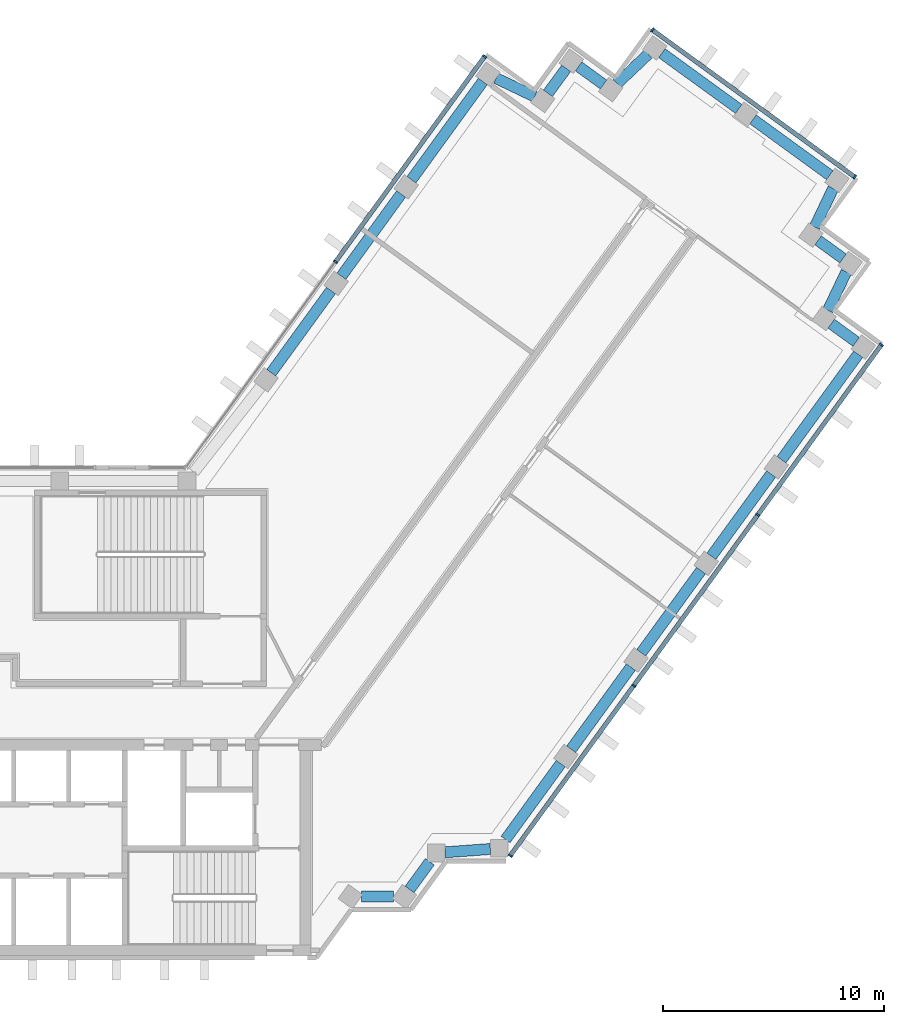
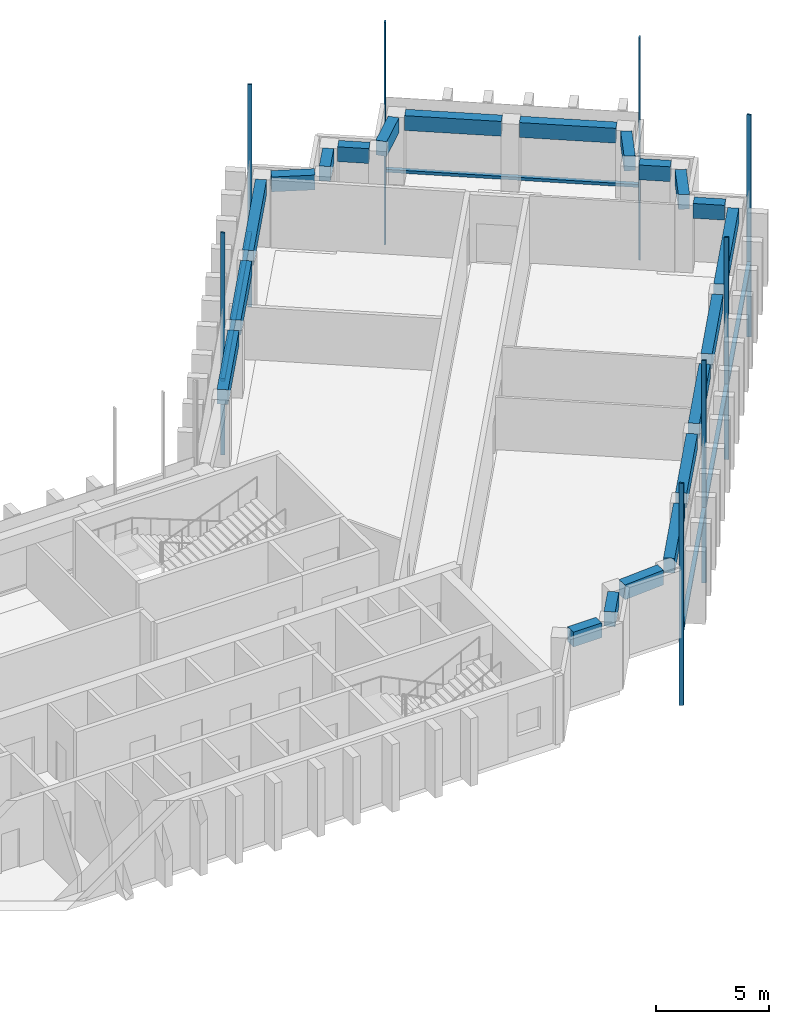
# One storey, part 5 of 15: 21 beams, 13 members, 3 elements without a shape of their own.
"""IFC4 building model written with IfcOpenShell, lengths in metres."""

from ifc_helpers import new_model, si_unit, direction, frame, origin, origin_2d, place, context, subcontext, project, spatial, rectangle, extrude, material, material_profile, profile_set, type_object, element, aggregate, save


model = new_model("IFC4")

# Units and contexts
model_context = context("Model", 3, precision=1e-05, world=origin(), true_north=direction((0.0, 1.0)))
body_context = subcontext(model_context, "Body", "Model", "MODEL_VIEW")
ifc_project = project(units=[si_unit("LENGTHUNIT", "METRE"), si_unit("AREAUNIT", "SQUARE_METRE"), si_unit("VOLUMEUNIT", "CUBIC_METRE"), si_unit("PLANEANGLEUNIT", "RADIAN"), si_unit("MASSUNIT", "GRAM", prefix="KILO")], contexts=[model_context])

# Site, building, storey
site_placement = place(None, origin())
site = spatial("IfcSite", under=ifc_project, at=site_placement, CompositionType="ELEMENT")
building_placement = place(site_placement, origin())
building = spatial("IfcBuilding", under=site, at=building_placement, Name="Quipu Civic Tower", CompositionType="ELEMENT")
storey_placement = place(building_placement, frame((0.0, 0.0, 160.0)))
storey = spatial("IfcBuildingStorey", under=building, at=storey_placement, Name="L37", CompositionType="ELEMENT", Elevation=160.0)

# Curtain wall, members
ifc_material_1 = material(Name="Insulated glass unit", Category="glass")
curtain_wall_type = type_object("IfcCurtainWallType", Name="Office curtain wall CW1", PredefinedType="NOTDEFINED", material=ifc_material_1)
curtain_wall_1_placement = place(storey_placement, origin())
curtain_wall_1 = element("IfcCurtainWall", 1, at=curtain_wall_1_placement, inside=storey, type_object=curtain_wall_type, Name="Office curtain wall CW1 L36 run 26", PredefinedType="NOTDEFINED")
ifc_material_2 = material(Name="Anodised aluminium", Category="aluminium")
ifc_material_profile_1 = material_profile(ifc_material_2, rectangle(XDim=0.199951171875, YDim=0.080078125, at=origin_2d()), Name="RECT 200x80")
ifc_profile_set_1 = profile_set([ifc_material_profile_1], Name="Anodised aluminium")
member_type_1 = type_object("IfcMemberType", Name="Mullion CW1", PredefinedType="MULLION", material=ifc_profile_set_1)
member_1_placement = place(storey_placement, frame((29.029296875, -6.45654296875, -3.919921875), z_axis=(0.0, 0.0, 1.0), x_axis=(-0.80901667469, 0.5877856923, 0.0)))
member_1 = element("IfcMember", 2, at=member_1_placement, type_object=member_type_1, Name="CW1 mullion 1", PredefinedType="MULLION", context=body_context, shape_type="SweptSolid", body=[
    extrude(rectangle(XDim=0.199951171875, YDim=0.080078125, at=origin_2d()), origin(), (0.0, 0.0, 1.0), 12.0),
])
member_2_placement = place(storey_placement, frame((34.620361328125, 1.23876953125, -3.919921875), z_axis=(0.0, 0.0, 1.0), x_axis=(-0.80901667469, 0.5877856923, 0.0)))
member_2 = element("IfcMember", 3, at=member_2_placement, type_object=member_type_1, Name="CW1 mullion 2", PredefinedType="MULLION", context=body_context, shape_type="SweptSolid", body=[
    extrude(rectangle(XDim=0.199951171875, YDim=0.080078125, at=origin_2d()), origin(), (0.0, 0.0, 1.0), 12.0),
])
member_3_placement = place(storey_placement, frame((40.23486328125, 8.966552734375, -3.919921875), z_axis=(0.0, 0.0, 1.0), x_axis=(-0.80901667469, 0.5877856923, 0.0)))
member_3 = element("IfcMember", 4, at=member_3_placement, type_object=member_type_1, Name="CW1 mullion 3", PredefinedType="MULLION", context=body_context, shape_type="SweptSolid", body=[
    extrude(rectangle(XDim=0.199951171875, YDim=0.080078125, at=origin_2d()), origin(), (0.0, 0.0, 1.0), 12.0),
])
member_4_placement = place(storey_placement, frame((45.825927734375, 16.661865234375, -3.919921875), z_axis=(0.0, 0.0, 1.0), x_axis=(-0.80901667469, 0.5877856923, 0.0)))
member_4 = element("IfcMember", 5, at=member_4_placement, type_object=member_type_1, Name="CW1 mullion 4", PredefinedType="MULLION", context=body_context, shape_type="SweptSolid", body=[
    extrude(rectangle(XDim=0.199951171875, YDim=0.080078125, at=origin_2d()), origin(), (0.0, 0.0, 1.0), 12.0),
])

curtain_wall_2_placement = place(storey_placement, origin())
curtain_wall_2 = element("IfcCurtainWall", 6, at=curtain_wall_2_placement, inside=storey, type_object=curtain_wall_type, Name="Office curtain wall CW1 L36 run 31", PredefinedType="NOTDEFINED")
member_5_placement = place(storey_placement, frame((44.62255859375, 24.260498046875, -3.919921875), z_axis=(0.0, 0.0, 1.0), x_axis=(-0.587787753918, -0.809015176832, 0.0)))
member_5 = element("IfcMember", 7, at=member_5_placement, type_object=member_type_1, Name="CW1 mullion 1", PredefinedType="MULLION", context=body_context, shape_type="SweptSolid", body=[
    extrude(rectangle(XDim=0.199951171875, YDim=0.080078125, at=origin_2d()), origin(), (0.0, 0.0, 1.0), 12.0),
])
member_6_placement = place(storey_placement, frame((35.46435546875, 30.914306640625, -3.919921875), z_axis=(0.0, 0.0, 1.0), x_axis=(-0.587787753918, -0.809015176832, 0.0)))
member_6 = element("IfcMember", 8, at=member_6_placement, type_object=member_type_1, Name="CW1 mullion 2", PredefinedType="MULLION", context=body_context, shape_type="SweptSolid", body=[
    extrude(rectangle(XDim=0.199951171875, YDim=0.080078125, at=origin_2d()), origin(), (0.0, 0.0, 1.0), 12.0),
])

curtain_wall_3_placement = place(storey_placement, origin())
curtain_wall_3 = element("IfcCurtainWall", 9, at=curtain_wall_3_placement, inside=storey, type_object=curtain_wall_type, Name="Office curtain wall CW1 L36 run 36", PredefinedType="NOTDEFINED")
member_7_placement = place(storey_placement, frame((27.865966796875, 29.7109375, -3.919921875), z_axis=(0.0, 0.0, 1.0), x_axis=(0.809014469803, -0.587788727052, 0.0)))
member_7 = element("IfcMember", 10, at=member_7_placement, type_object=member_type_1, Name="CW1 mullion 1", PredefinedType="MULLION", context=body_context, shape_type="SweptSolid", body=[
    extrude(rectangle(XDim=0.199951171875, YDim=0.080078125, at=origin_2d()), origin(), (0.0, 0.0, 1.0), 12.0),
])
member_8_placement = place(storey_placement, frame((21.11669921875, 20.421630859375, -3.919921875), z_axis=(0.0, 0.0, 1.0), x_axis=(0.809014469803, -0.587788727052, 0.0)))
member_8 = element("IfcMember", 11, at=member_8_placement, type_object=member_type_1, Name="CW1 mullion 2", PredefinedType="MULLION", context=body_context, shape_type="SweptSolid", body=[
    extrude(rectangle(XDim=0.199951171875, YDim=0.080078125, at=origin_2d()), origin(), (0.0, 0.0, 1.0), 12.0),
])

# Beams
ifc_material_3 = material(Name="Concrete C50/60", Category="concrete")
ifc_material_profile_2 = material_profile(ifc_material_3, rectangle(XDim=0.5, YDim=0.800048828125, at=origin_2d()), Name="RC500x800")
ifc_profile_set_2 = profile_set([ifc_material_profile_2], Name="Concrete C50/60")
beam_type = type_object("IfcBeamType", Name="Spandrel beam RC 500x800 C50/60", PredefinedType="SPANDREL", material=ifc_profile_set_2)
beam_1_placement = place(storey_placement, frame((22.2861328125, -8.31494140625, 3.25), z_axis=(1.0, 0.0, 0.0), x_axis=(0.0, 1.0, 0.0)))
element("IfcBeam", 12, at=beam_1_placement, inside=storey, type_object=beam_type, Name="Spandrel beam L37 J-Eo.1 to J-Eo.2", PredefinedType="SPANDREL", context=body_context, shape_type="SweptSolid", body=[
    extrude(rectangle(XDim=0.5, YDim=0.800048828125, at=origin_2d()), origin(), (0.0, 0.0, 1.0), 1.454345703125),
])
beam_2_placement = place(storey_placement, frame((24.470458984375, -7.991455078125, 3.25), z_axis=(0.588405601119, 0.808565920981, 0.0), x_axis=(-0.808565920981, 0.588405601119, 0.0)))
element("IfcBeam", 13, at=beam_2_placement, inside=storey, type_object=beam_type, Name="Spandrel beam L37 J-Eo.2 to J-Eo.3", PredefinedType="SPANDREL", context=body_context, shape_type="SweptSolid", body=[
    extrude(rectangle(XDim=0.5, YDim=0.800048828125, at=origin_2d()), origin(), (0.0, 0.0, 1.0), 1.55126953125),
])
beam_3_placement = place(storey_placement, frame((26.074462890625, -6.307861328125, 3.25), z_axis=(0.997372997143, 0.072436900614, 0.0), x_axis=(-0.072436900614, 0.997372997143, 0.0)))
element("IfcBeam", 14, at=beam_3_placement, inside=storey, type_object=beam_type, Name="Spandrel beam L37 J-Eo.3 to J-Eo.4", PredefinedType="SPANDREL", context=body_context, shape_type="SweptSolid", body=[
    extrude(rectangle(XDim=0.5, YDim=0.800048828125, at=origin_2d()), origin(), (0.0, 0.0, 1.0), 2.055908203125),
])
beam_4_placement = place(storey_placement, frame((28.815673828125, -5.72998046875, 3.25), z_axis=(0.58776850526, 0.809029161541, 0.0), x_axis=(-0.809029161541, 0.58776850526, 0.0)))
element("IfcBeam", 15, at=beam_4_placement, inside=storey, type_object=beam_type, Name="Spandrel beam L37 J-Eo.4 to E-OUT-01", PredefinedType="SPANDREL", context=body_context, shape_type="SweptSolid", body=[
    extrude(rectangle(XDim=0.5, YDim=0.800048828125, at=origin_2d()), origin(), (0.0, 0.0, 1.0), 4.249267578125),
])
beam_5_placement = place(storey_placement, frame((31.783447265625, -1.64501953125, 3.25), z_axis=(0.587796098864, 0.809009113768, 0.0), x_axis=(-0.809009113768, 0.587796098864, 0.0)))
element("IfcBeam", 16, at=beam_5_placement, inside=storey, type_object=beam_type, Name="Spandrel beam L37 E-OUT-01 to E-OUT-02", PredefinedType="SPANDREL", context=body_context, shape_type="SweptSolid", body=[
    extrude(rectangle(XDim=0.5, YDim=0.800048828125, at=origin_2d()), origin(), (0.0, 0.0, 1.0), 4.60009765625),
])
beam_6_placement = place(storey_placement, frame((34.95751953125, 2.7236328125, 3.25), z_axis=(0.58776136044, 0.809034352283, 0.0), x_axis=(-0.809034352283, 0.58776136044, 0.0)))
element("IfcBeam", 17, at=beam_6_placement, inside=storey, type_object=beam_type, Name="Spandrel beam L37 E-OUT-02 to E-OUT-03", PredefinedType="SPANDREL", context=body_context, shape_type="SweptSolid", body=[
    extrude(rectangle(XDim=0.5, YDim=0.800048828125, at=origin_2d()), origin(), (0.0, 0.0, 1.0), 4.599853515625),
])
beam_7_placement = place(storey_placement, frame((38.13134765625, 7.09228515625, 3.25), z_axis=(0.587770861189, 0.809027449928, 0.0), x_axis=(-0.809027449928, 0.587770861189, 0.0)))
element("IfcBeam", 18, at=beam_7_placement, inside=storey, type_object=beam_type, Name="Spandrel beam L37 E-OUT-03 to E-OUT-04", PredefinedType="SPANDREL", context=body_context, shape_type="SweptSolid", body=[
    extrude(rectangle(XDim=0.5, YDim=0.800048828125, at=origin_2d()), origin(), (0.0, 0.0, 1.0), 4.60009765625),
])
beam_8_placement = place(storey_placement, frame((41.305419921875, 11.461181640625, 3.25), z_axis=(0.58780026889, 0.809006083965, 0.0), x_axis=(-0.809006083965, 0.58780026889, 0.0)))
element("IfcBeam", 19, at=beam_8_placement, inside=storey, type_object=beam_type, Name="Spandrel beam L37 E-OUT-04 to T-Eo.0-E34", PredefinedType="SPANDREL", context=body_context, shape_type="SweptSolid", body=[
    extrude(rectangle(XDim=0.5, YDim=0.800048828125, at=origin_2d()), origin(), (0.0, 0.0, 1.0), 5.902587890625),
])
beam_9_placement = place(storey_placement, frame((44.6865234375, 16.79541015625, 3.25), z_axis=(-0.808600329101, 0.588358315805, 0.0), x_axis=(-0.588358315805, -0.808600329101, 0.0)))
element("IfcBeam", 20, at=beam_9_placement, inside=storey, type_object=beam_type, Name="Spandrel beam L37 T-Eo.0-E34 to T-Eo.1-E34", PredefinedType="SPANDREL", context=body_context, shape_type="SweptSolid", body=[
    extrude(rectangle(XDim=0.5, YDim=0.800048828125, at=origin_2d()), origin(), (0.0, 0.0, 1.0), 1.400146484375),
])
beam_10_placement = place(storey_placement, frame((43.40625, 18.2216796875, 3.25), z_axis=(0.430785642718, 0.902454281406, 0.0), x_axis=(-0.902454281406, 0.430785642718, 0.0)))
element("IfcBeam", 21, at=beam_10_placement, inside=storey, type_object=beam_type, Name="Spandrel beam L37 T-Eo.1-E34 to T-Eo.2-E34", PredefinedType="SPANDREL", context=body_context, shape_type="SweptSolid", body=[
    extrude(rectangle(XDim=0.5, YDim=0.800048828125, at=origin_2d()), origin(), (0.0, 0.0, 1.0), 1.934814453125),
])
beam_11_placement = place(storey_placement, frame((44.09130859375, 20.56982421875, 3.25), z_axis=(-0.809467380413, 0.587164849125, 0.0), x_axis=(-0.587164849125, -0.809467380413, 0.0)))
element("IfcBeam", 22, at=beam_11_placement, inside=storey, type_object=beam_type, Name="Spandrel beam L37 T-Eo.2-E34 to T-Eo.3-E34", PredefinedType="SPANDREL", context=body_context, shape_type="SweptSolid", body=[
    extrude(rectangle(XDim=0.5, YDim=0.800048828125, at=origin_2d()), origin(), (0.0, 0.0, 1.0), 1.399169921875),
])
beam_12_placement = place(storey_placement, frame((42.809814453125, 21.99365234375, 3.25), z_axis=(0.429889421342, 0.902881545618, 0.0), x_axis=(-0.902881545618, 0.429889421342, 0.0)))
element("IfcBeam", 23, at=beam_12_placement, inside=storey, type_object=beam_type, Name="Spandrel beam L37 T-Eo.3-E34 to T-Eo.4-E34", PredefinedType="SPANDREL", context=body_context, shape_type="SweptSolid", body=[
    extrude(rectangle(XDim=0.5, YDim=0.800048828125, at=origin_2d()), origin(), (0.0, 0.0, 1.0), 1.931396484375),
])
beam_13_placement = place(storey_placement, frame((43.491455078125, 24.340087890625, 3.25), z_axis=(-0.808947267178, 0.587881211578, 0.0), x_axis=(-0.587881211578, -0.808947267178, 0.0)))
element("IfcBeam", 24, at=beam_13_placement, inside=storey, type_object=beam_type, Name="Spandrel beam L37 T-Eo.4-E34 to TIP-E-01-E34", PredefinedType="SPANDREL", context=body_context, shape_type="SweptSolid", body=[
    extrude(rectangle(XDim=0.5, YDim=0.800048828125, at=origin_2d()), origin(), (0.0, 0.0, 1.0), 4.29833984375),
])
beam_14_placement = place(storey_placement, frame((39.3671875, 27.337158203125, 3.25), z_axis=(-0.808983997561, 0.58783066583, 0.0), x_axis=(-0.58783066583, -0.808983997561, 0.0)))
element("IfcBeam", 25, at=beam_14_placement, inside=storey, type_object=beam_type, Name="Spandrel beam L37 TIP-E-01-E34 to T-Ei.0-E34", PredefinedType="SPANDREL", context=body_context, shape_type="SweptSolid", body=[
    extrude(rectangle(XDim=0.5, YDim=0.800048828125, at=origin_2d()), origin(), (0.0, 0.0, 1.0), 4.2998046875),
])
beam_15_placement = place(storey_placement, frame((35.27001953125, 29.81982421875, 3.25), z_axis=(-0.72519185421, -0.68854685722, 0.0), x_axis=(0.68854685722, -0.72519185421, 0.0)))
element("IfcBeam", 26, at=beam_15_placement, inside=storey, type_object=beam_type, Name="Spandrel beam L37 T-Ei.0-E34 to T-Ei.1-E34", PredefinedType="SPANDREL", context=body_context, shape_type="SweptSolid", body=[
    extrude(rectangle(XDim=0.5, YDim=0.800048828125, at=origin_2d()), origin(), (0.0, 0.0, 1.0), 1.93212890625),
])
beam_16_placement = place(storey_placement, frame((33.250244140625, 28.4443359375, 3.25), z_axis=(-0.80941533633, 0.587236590578, 0.0), x_axis=(-0.587236590578, -0.80941533633, 0.0)))
element("IfcBeam", 27, at=beam_16_placement, inside=storey, type_object=beam_type, Name="Spandrel beam L37 T-Ei.1-E34 to T-Ei.2-E34", PredefinedType="SPANDREL", context=body_context, shape_type="SweptSolid", body=[
    extrude(rectangle(XDim=0.5, YDim=0.800048828125, at=origin_2d()), origin(), (0.0, 0.0, 1.0), 1.397705078125),
])
beam_17_placement = place(storey_placement, frame((31.559326171875, 29.1767578125, 3.25), z_axis=(-0.589342949835, -0.80788296645, 0.0), x_axis=(0.80788296645, -0.589342949835, 0.0)))
element("IfcBeam", 28, at=beam_17_placement, inside=storey, type_object=beam_type, Name="Spandrel beam L37 T-Ei.2-E34 to T-Ei.3-E34", PredefinedType="SPANDREL", context=body_context, shape_type="SweptSolid", body=[
    extrude(rectangle(XDim=0.5, YDim=0.800048828125, at=origin_2d()), origin(), (0.0, 0.0, 1.0), 1.39990234375),
])
beam_18_placement = place(storey_placement, frame((30.131591796875, 27.89794921875, 3.25), z_axis=(-0.902584802379, 0.430512107279, 0.0), x_axis=(-0.430512107279, -0.902584802379, 0.0)))
element("IfcBeam", 29, at=beam_18_placement, inside=storey, type_object=beam_type, Name="Spandrel beam L37 T-Ei.3-E34 to T-Ei.4-E34", PredefinedType="SPANDREL", context=body_context, shape_type="SweptSolid", body=[
    extrude(rectangle(XDim=0.5, YDim=0.800048828125, at=origin_2d()), origin(), (0.0, 0.0, 1.0), 1.9326171875),
])
beam_19_placement = place(storey_placement, frame((27.784912109375, 28.581298828125, 3.25), z_axis=(-0.587664254196, -0.809104890815, 0.0), x_axis=(0.809104890815, -0.587664254196, 0.0)))
element("IfcBeam", 30, at=beam_19_placement, inside=storey, type_object=beam_type, Name="Spandrel beam L37 T-Ei.4-E34 to E-IN-03", PredefinedType="SPANDREL", context=body_context, shape_type="SweptSolid", body=[
    extrude(rectangle(XDim=0.5, YDim=0.800048828125, at=origin_2d()), origin(), (0.0, 0.0, 1.0), 5.493896484375),
])
beam_20_placement = place(storey_placement, frame((24.086181640625, 23.489013671875, 3.25), z_axis=(-0.587736122681, -0.809052686848, 0.0), x_axis=(0.809052686848, -0.587736122681, 0.0)))
element("IfcBeam", 31, at=beam_20_placement, inside=storey, type_object=beam_type, Name="Spandrel beam L37 E-IN-03 to E-IN-02", PredefinedType="SPANDREL", context=body_context, shape_type="SweptSolid", body=[
    extrude(rectangle(XDim=0.5, YDim=0.800048828125, at=origin_2d()), origin(), (0.0, 0.0, 1.0), 4.60009765625),
])
beam_21_placement = place(storey_placement, frame((20.912353515625, 19.1201171875, 3.25), z_axis=(-0.58776136044, -0.809034352283, 0.0), x_axis=(0.809034352283, -0.58776136044, 0.0)))
element("IfcBeam", 32, at=beam_21_placement, inside=storey, type_object=beam_type, Name="Spandrel beam L37 E-IN-02 to E-IN-01", PredefinedType="SPANDREL", context=body_context, shape_type="SweptSolid", body=[
    extrude(rectangle(XDim=0.5, YDim=0.800048828125, at=origin_2d()), origin(), (0.0, 0.0, 1.0), 4.599853515625),
])

# Member
ifc_material_4 = material(Name="Anodised aluminium", Category="aluminium")
ifc_material_profile_3 = material_profile(ifc_material_4, rectangle(XDim=0.199951171875, YDim=0.159912109375, at=origin_2d()), Name="RECT 200x160")
ifc_profile_set_3 = profile_set([ifc_material_profile_3], Name="Anodised aluminium")
member_type_2 = type_object("IfcMemberType", Name="Transom CW1", PredefinedType="USERDEFINED", material=ifc_profile_set_3)
member_9_placement = place(storey_placement, frame((29.052978515625, -6.424072265625, 0.080078125), z_axis=(0.587783783239, 0.809018061703, 0.0), x_axis=(-0.809018061703, 0.587783783239, 0.0)))
member_9 = element("IfcMember", 33, at=member_9_placement, type_object=member_type_2, Name="CW1 transom 1.2", ObjectType="TRANSOM", PredefinedType="USERDEFINED", context=body_context, shape_type="SweptSolid", body=[
    extrude(rectangle(XDim=0.199951171875, YDim=0.159912109375, at=origin_2d()), origin(), (0.0, 0.0, 1.0), 9.431884765625),
])

member_10_placement = place(storey_placement, frame((34.64404296875, 1.271240234375, 0.080078125), z_axis=(0.587773158676, 0.809025780763, 0.0), x_axis=(-0.809025780763, 0.587773158676, 0.0)))
member_10 = element("IfcMember", 34, at=member_10_placement, type_object=member_type_2, Name="CW1 transom 2.2", ObjectType="TRANSOM", PredefinedType="USERDEFINED", context=body_context, shape_type="SweptSolid", body=[
    extrude(rectangle(XDim=0.199951171875, YDim=0.159912109375, at=origin_2d()), origin(), (0.0, 0.0, 1.0), 9.471923828125),
])

member_11_placement = place(storey_placement, frame((40.258544921875, 8.9990234375, 0.080078125), z_axis=(0.587783783239, 0.809018061703, 0.0), x_axis=(-0.809018061703, 0.587783783239, 0.0)))
member_11 = element("IfcMember", 35, at=member_11_placement, type_object=member_type_2, Name="CW1 transom 3.2", ObjectType="TRANSOM", PredefinedType="USERDEFINED", context=body_context, shape_type="SweptSolid", body=[
    extrude(rectangle(XDim=0.199951171875, YDim=0.159912109375, at=origin_2d()), origin(), (0.0, 0.0, 1.0), 9.431884765625),
])

aggregate(curtain_wall_1, [member_1, member_2, member_3, member_4, member_9, member_10, member_11])

member_12_placement = place(storey_placement, frame((44.590087890625, 24.2841796875, 0.080078125), z_axis=(-0.809014959561, 0.587788052963, 0.0), x_axis=(-0.587788052963, -0.809014959561, 0.0)))
member_12 = element("IfcMember", 36, at=member_12_placement, type_object=member_type_2, Name="CW1 transom 1.2", ObjectType="TRANSOM", PredefinedType="USERDEFINED", context=body_context, shape_type="SweptSolid", body=[
    extrude(rectangle(XDim=0.199951171875, YDim=0.159912109375, at=origin_2d()), origin(), (0.0, 0.0, 1.0), 11.239990234375),
])

aggregate(curtain_wall_2, [member_5, member_6, member_12])

member_13_placement = place(storey_placement, frame((27.84228515625, 29.678466796875, 0.080078125), z_axis=(-0.587775682251, -0.809023947331, 0.0), x_axis=(0.809023947331, -0.587775682251, 0.0)))
member_13 = element("IfcMember", 37, at=member_13_placement, type_object=member_type_2, Name="CW1 transom 1.2", ObjectType="TRANSOM", PredefinedType="USERDEFINED", context=body_context, shape_type="SweptSolid", body=[
    extrude(rectangle(XDim=0.199951171875, YDim=0.159912109375, at=origin_2d()), origin(), (0.0, 0.0, 1.0), 11.402099609375),
])

aggregate(curtain_wall_3, [member_7, member_8, member_13])

save(model, "model.ifc")
